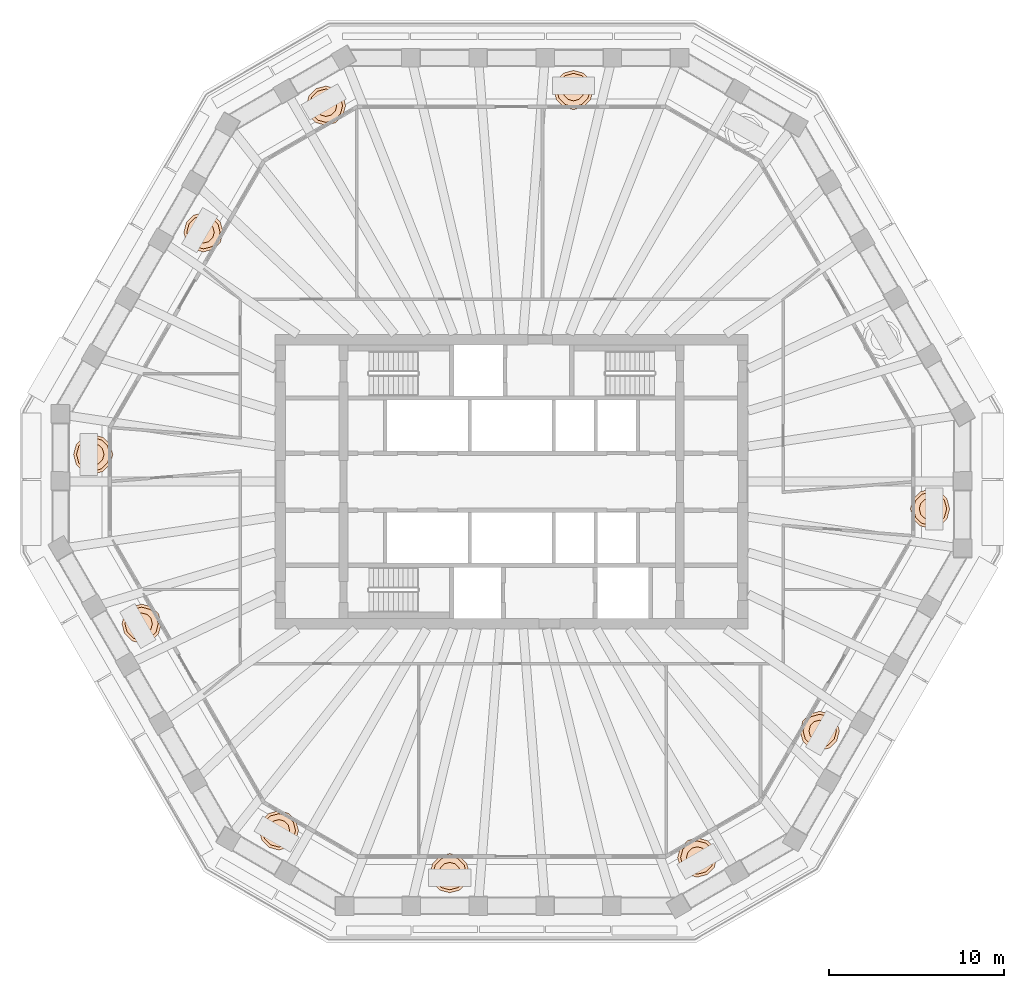
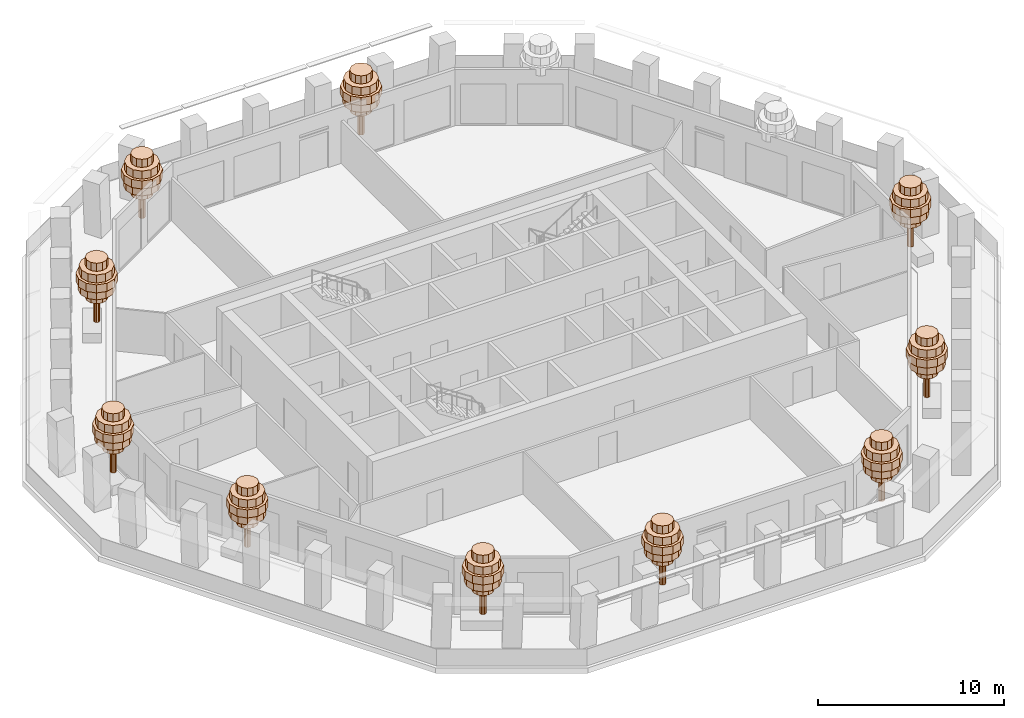
# One storey, part 11 of 12: 10 geographic elements.
"""IFC4 building model written with IfcOpenShell, lengths in metres."""

from ifc_helpers import new_model, si_unit, direction, frame, origin, place, context, subcontext, project, spatial, polyline, outline, extrude, material, type_object, element, save


model = new_model("IFC4")

# Units and contexts
model_context = context("Model", 3, precision=1e-05, world=origin(), true_north=direction((0.0, 1.0)))
body_context = subcontext(model_context, "Body", "Model", "MODEL_VIEW")
ifc_project = project(units=[si_unit("LENGTHUNIT", "METRE"), si_unit("AREAUNIT", "SQUARE_METRE"), si_unit("VOLUMEUNIT", "CUBIC_METRE"), si_unit("PLANEANGLEUNIT", "RADIAN"), si_unit("MASSUNIT", "GRAM", prefix="KILO")], contexts=[model_context])

# Site, building, storey
site_placement = place(None, origin())
site = spatial("IfcSite", under=ifc_project, at=site_placement, CompositionType="ELEMENT")
building_placement = place(site_placement, origin())
building = spatial("IfcBuilding", under=site, at=building_placement, Name="Frailejon Research Tower", CompositionType="ELEMENT")
storey_placement = place(building_placement, frame((0.0, 0.0, 211.39990234375)))
storey = spatial("IfcBuildingStorey", under=building, at=storey_placement, Name="L45", CompositionType="ELEMENT", Elevation=211.39990234375)

# Geographic elements
ifc_material = material(Name="Foliage, green")
geographic_element_type = type_object("IfcGeographicElementType", Name="Frailejon tree, terrace", PredefinedType="USERDEFINED", material=ifc_material)
geographic_element_1_placement = place(storey_placement, frame((23.884521484375, -1.551513671875, 0.7001953125)))
element("IfcGeographicElement", 1, at=geographic_element_1_placement, inside=storey, type_object=geographic_element_type, Name="Tree L45", ObjectType="TREE", PredefinedType="USERDEFINED", context=body_context, shape_type="SweptSolid", body=[
    extrude(outline(polyline([(0.177978515625, 0.0), (0.154052734375, 0.089111328125), (0.089111328125, 0.154052734375), (0.0, 0.177978515625), (-0.089111328125, 0.154052734375), (-0.154052734375, 0.089111328125), (-0.177978515625, 0.0), (-0.154052734375, -0.089111328125), (-0.089111328125, -0.154052734375), (0.0, -0.177978515625), (0.089111328125, -0.154052734375), (0.154052734375, -0.089111328125), (0.177978515625, 0.0)])), origin(), (0.0, 0.0, 1.0), 3.135986328125),
    extrude(outline(polyline([(0.615966796875, 0.0), (0.533447265625, 0.30810546875), (0.30810546875, 0.533447265625), (0.0, 0.615966796875), (-0.30810546875, 0.533447265625), (-0.533447265625, 0.30810546875), (-0.615966796875, 0.0), (-0.533447265625, -0.30810546875), (-0.30810546875, -0.533447265625), (0.0, -0.615966796875), (0.30810546875, -0.533447265625), (0.533447265625, -0.30810546875), (0.615966796875, 0.0)])), frame((0.0, 0.0, 1.5400390625)), (0.0, 0.0, 1.0), 0.531982421875),
    extrude(outline(polyline([(1.008056640625, 0.0), (0.873046875, 0.50390625), (0.50390625, 0.873046875), (0.0, 1.008056640625), (-0.50390625, 0.873046875), (-0.873046875, 0.50390625), (-1.008056640625, 0.0), (-0.873046875, -0.50390625), (-0.50390625, -0.873046875), (0.0, -1.008056640625), (0.50390625, -0.873046875), (0.873046875, -0.50390625), (1.008056640625, 0.0)])), frame((0.0, 0.0, 2.072021484375)), (0.0, 0.0, 1.0), 0.531982421875),
    extrude(outline(polyline([(1.1201171875, 0.0), (0.969970703125, 0.56005859375), (0.56005859375, 0.969970703125), (0.0, 1.1201171875), (-0.56005859375, 0.969970703125), (-0.969970703125, 0.56005859375), (-1.1201171875, 0.0), (-0.969970703125, -0.56005859375), (-0.56005859375, -0.969970703125), (0.0, -1.1201171875), (0.56005859375, -0.969970703125), (0.969970703125, -0.56005859375), (1.1201171875, 0.0)])), frame((0.0, 0.0, 2.60400390625)), (0.0, 0.0, 1.0), 0.531982421875),
    extrude(outline(polyline([(0.951904296875, 0.0), (0.824462890625, 0.47607421875), (0.47607421875, 0.824462890625), (0.0, 0.951904296875), (-0.47607421875, 0.824462890625), (-0.824462890625, 0.47607421875), (-0.951904296875, 0.0), (-0.824462890625, -0.47607421875), (-0.47607421875, -0.824462890625), (0.0, -0.951904296875), (0.47607421875, -0.824462890625), (0.824462890625, -0.47607421875), (0.951904296875, 0.0)])), frame((0.0, 0.0, 3.135986328125)), (0.0, 0.0, 1.0), 0.531982421875),
    extrude(outline(polyline([(0.615966796875, 0.0), (0.533447265625, 0.30810546875), (0.30810546875, 0.533447265625), (0.0, 0.615966796875), (-0.30810546875, 0.533447265625), (-0.533447265625, 0.30810546875), (-0.615966796875, 0.0), (-0.533447265625, -0.30810546875), (-0.30810546875, -0.533447265625), (0.0, -0.615966796875), (0.30810546875, -0.533447265625), (0.533447265625, -0.30810546875), (0.615966796875, 0.0)])), frame((0.0, 0.0, 3.66796875)), (0.0, 0.0, 1.0), 0.531982421875),
])
geographic_element_2_placement = place(storey_placement, frame((3.531982421875, 22.35009765625, 0.7001953125)))
element("IfcGeographicElement", 2, at=geographic_element_2_placement, inside=storey, type_object=geographic_element_type, Name="Tree L45", ObjectType="TREE", PredefinedType="USERDEFINED", context=body_context, shape_type="SweptSolid", body=[
    extrude(outline(polyline([(0.177978515625, 0.0), (0.154052734375, 0.089111328125), (0.089111328125, 0.154052734375), (0.0, 0.177978515625), (-0.089111328125, 0.154052734375), (-0.154052734375, 0.089111328125), (-0.177978515625, 0.0), (-0.154052734375, -0.089111328125), (-0.089111328125, -0.154052734375), (0.0, -0.177978515625), (0.089111328125, -0.154052734375), (0.154052734375, -0.089111328125), (0.177978515625, 0.0)])), origin(), (0.0, 0.0, 1.0), 3.135986328125),
    extrude(outline(polyline([(0.615966796875, 0.0), (0.533447265625, 0.30810546875), (0.30810546875, 0.533447265625), (0.0, 0.615966796875), (-0.30810546875, 0.533447265625), (-0.533447265625, 0.30810546875), (-0.615966796875, 0.0), (-0.533447265625, -0.30810546875), (-0.30810546875, -0.533447265625), (0.0, -0.615966796875), (0.30810546875, -0.533447265625), (0.533447265625, -0.30810546875), (0.615966796875, 0.0)])), frame((0.0, 0.0, 1.5400390625)), (0.0, 0.0, 1.0), 0.531982421875),
    extrude(outline(polyline([(1.008056640625, 0.0), (0.873046875, 0.50390625), (0.50390625, 0.873046875), (0.0, 1.008056640625), (-0.50390625, 0.873046875), (-0.873046875, 0.50390625), (-1.008056640625, 0.0), (-0.873046875, -0.50390625), (-0.50390625, -0.873046875), (0.0, -1.008056640625), (0.50390625, -0.873046875), (0.873046875, -0.50390625), (1.008056640625, 0.0)])), frame((0.0, 0.0, 2.072021484375)), (0.0, 0.0, 1.0), 0.531982421875),
    extrude(outline(polyline([(1.1201171875, 0.0), (0.969970703125, 0.56005859375), (0.56005859375, 0.969970703125), (0.0, 1.1201171875), (-0.56005859375, 0.969970703125), (-0.969970703125, 0.56005859375), (-1.1201171875, 0.0), (-0.969970703125, -0.56005859375), (-0.56005859375, -0.969970703125), (0.0, -1.1201171875), (0.56005859375, -0.969970703125), (0.969970703125, -0.56005859375), (1.1201171875, 0.0)])), frame((0.0, 0.0, 2.60400390625)), (0.0, 0.0, 1.0), 0.531982421875),
    extrude(outline(polyline([(0.951904296875, 0.0), (0.824462890625, 0.47607421875), (0.47607421875, 0.824462890625), (0.0, 0.951904296875), (-0.47607421875, 0.824462890625), (-0.824462890625, 0.47607421875), (-0.951904296875, 0.0), (-0.824462890625, -0.47607421875), (-0.47607421875, -0.824462890625), (0.0, -0.951904296875), (0.47607421875, -0.824462890625), (0.824462890625, -0.47607421875), (0.951904296875, 0.0)])), frame((0.0, 0.0, 3.135986328125)), (0.0, 0.0, 1.0), 0.531982421875),
    extrude(outline(polyline([(0.615966796875, 0.0), (0.533447265625, 0.30810546875), (0.30810546875, 0.533447265625), (0.0, 0.615966796875), (-0.30810546875, 0.533447265625), (-0.533447265625, 0.30810546875), (-0.615966796875, 0.0), (-0.533447265625, -0.30810546875), (-0.30810546875, -0.533447265625), (0.0, -0.615966796875), (0.30810546875, -0.533447265625), (0.533447265625, -0.30810546875), (0.615966796875, 0.0)])), frame((0.0, 0.0, 3.66796875)), (0.0, 0.0, 1.0), 0.531982421875),
])
geographic_element_3_placement = place(storey_placement, frame((-10.598388671875, 21.460205078125, 0.7001953125)))
element("IfcGeographicElement", 3, at=geographic_element_3_placement, inside=storey, type_object=geographic_element_type, Name="Tree L45", ObjectType="TREE", PredefinedType="USERDEFINED", context=body_context, shape_type="SweptSolid", body=[
    extrude(outline(polyline([(0.177978515625, 0.0), (0.154052734375, 0.089111328125), (0.089111328125, 0.154052734375), (0.0, 0.177978515625), (-0.089111328125, 0.154052734375), (-0.154052734375, 0.089111328125), (-0.177978515625, 0.0), (-0.154052734375, -0.089111328125), (-0.089111328125, -0.154052734375), (0.0, -0.177978515625), (0.089111328125, -0.154052734375), (0.154052734375, -0.089111328125), (0.177978515625, 0.0)])), origin(), (0.0, 0.0, 1.0), 3.135986328125),
    extrude(outline(polyline([(0.615966796875, 0.0), (0.533447265625, 0.30810546875), (0.30810546875, 0.533447265625), (0.0, 0.615966796875), (-0.30810546875, 0.533447265625), (-0.533447265625, 0.30810546875), (-0.615966796875, 0.0), (-0.533447265625, -0.30810546875), (-0.30810546875, -0.533447265625), (0.0, -0.615966796875), (0.30810546875, -0.533447265625), (0.533447265625, -0.30810546875), (0.615966796875, 0.0)])), frame((0.0, 0.0, 1.5400390625)), (0.0, 0.0, 1.0), 0.531982421875),
    extrude(outline(polyline([(1.008056640625, 0.0), (0.873046875, 0.50390625), (0.50390625, 0.873046875), (0.0, 1.008056640625), (-0.50390625, 0.873046875), (-0.873046875, 0.50390625), (-1.008056640625, 0.0), (-0.873046875, -0.50390625), (-0.50390625, -0.873046875), (0.0, -1.008056640625), (0.50390625, -0.873046875), (0.873046875, -0.50390625), (1.008056640625, 0.0)])), frame((0.0, 0.0, 2.072021484375)), (0.0, 0.0, 1.0), 0.531982421875),
    extrude(outline(polyline([(1.1201171875, 0.0), (0.969970703125, 0.56005859375), (0.56005859375, 0.969970703125), (0.0, 1.1201171875), (-0.56005859375, 0.969970703125), (-0.969970703125, 0.56005859375), (-1.1201171875, 0.0), (-0.969970703125, -0.56005859375), (-0.56005859375, -0.969970703125), (0.0, -1.1201171875), (0.56005859375, -0.969970703125), (0.969970703125, -0.56005859375), (1.1201171875, 0.0)])), frame((0.0, 0.0, 2.60400390625)), (0.0, 0.0, 1.0), 0.531982421875),
    extrude(outline(polyline([(0.951904296875, 0.0), (0.824462890625, 0.47607421875), (0.47607421875, 0.824462890625), (0.0, 0.951904296875), (-0.47607421875, 0.824462890625), (-0.824462890625, 0.47607421875), (-0.951904296875, 0.0), (-0.824462890625, -0.47607421875), (-0.47607421875, -0.824462890625), (0.0, -0.951904296875), (0.47607421875, -0.824462890625), (0.824462890625, -0.47607421875), (0.951904296875, 0.0)])), frame((0.0, 0.0, 3.135986328125)), (0.0, 0.0, 1.0), 0.531982421875),
    extrude(outline(polyline([(0.615966796875, 0.0), (0.533447265625, 0.30810546875), (0.30810546875, 0.533447265625), (0.0, 0.615966796875), (-0.30810546875, 0.533447265625), (-0.533447265625, 0.30810546875), (-0.615966796875, 0.0), (-0.533447265625, -0.30810546875), (-0.30810546875, -0.533447265625), (0.0, -0.615966796875), (0.30810546875, -0.533447265625), (0.533447265625, -0.30810546875), (0.615966796875, 0.0)])), frame((0.0, 0.0, 3.66796875)), (0.0, 0.0, 1.0), 0.531982421875),
])
geographic_element_4_placement = place(storey_placement, frame((-17.589599609375, 14.233642578125, 0.7001953125)))
element("IfcGeographicElement", 4, at=geographic_element_4_placement, inside=storey, type_object=geographic_element_type, Name="Tree L45", ObjectType="TREE", PredefinedType="USERDEFINED", context=body_context, shape_type="SweptSolid", body=[
    extrude(outline(polyline([(0.177978515625, 0.0), (0.154052734375, 0.089111328125), (0.089111328125, 0.154052734375), (0.0, 0.177978515625), (-0.089111328125, 0.154052734375), (-0.154052734375, 0.089111328125), (-0.177978515625, 0.0), (-0.154052734375, -0.089111328125), (-0.089111328125, -0.154052734375), (0.0, -0.177978515625), (0.089111328125, -0.154052734375), (0.154052734375, -0.089111328125), (0.177978515625, 0.0)])), origin(), (0.0, 0.0, 1.0), 3.135986328125),
    extrude(outline(polyline([(0.615966796875, 0.0), (0.533447265625, 0.30810546875), (0.30810546875, 0.533447265625), (0.0, 0.615966796875), (-0.30810546875, 0.533447265625), (-0.533447265625, 0.30810546875), (-0.615966796875, 0.0), (-0.533447265625, -0.30810546875), (-0.30810546875, -0.533447265625), (0.0, -0.615966796875), (0.30810546875, -0.533447265625), (0.533447265625, -0.30810546875), (0.615966796875, 0.0)])), frame((0.0, 0.0, 1.5400390625)), (0.0, 0.0, 1.0), 0.531982421875),
    extrude(outline(polyline([(1.008056640625, 0.0), (0.873046875, 0.50390625), (0.50390625, 0.873046875), (0.0, 1.008056640625), (-0.50390625, 0.873046875), (-0.873046875, 0.50390625), (-1.008056640625, 0.0), (-0.873046875, -0.50390625), (-0.50390625, -0.873046875), (0.0, -1.008056640625), (0.50390625, -0.873046875), (0.873046875, -0.50390625), (1.008056640625, 0.0)])), frame((0.0, 0.0, 2.072021484375)), (0.0, 0.0, 1.0), 0.531982421875),
    extrude(outline(polyline([(1.1201171875, 0.0), (0.969970703125, 0.56005859375), (0.56005859375, 0.969970703125), (0.0, 1.1201171875), (-0.56005859375, 0.969970703125), (-0.969970703125, 0.56005859375), (-1.1201171875, 0.0), (-0.969970703125, -0.56005859375), (-0.56005859375, -0.969970703125), (0.0, -1.1201171875), (0.56005859375, -0.969970703125), (0.969970703125, -0.56005859375), (1.1201171875, 0.0)])), frame((0.0, 0.0, 2.60400390625)), (0.0, 0.0, 1.0), 0.531982421875),
    extrude(outline(polyline([(0.951904296875, 0.0), (0.824462890625, 0.47607421875), (0.47607421875, 0.824462890625), (0.0, 0.951904296875), (-0.47607421875, 0.824462890625), (-0.824462890625, 0.47607421875), (-0.951904296875, 0.0), (-0.824462890625, -0.47607421875), (-0.47607421875, -0.824462890625), (0.0, -0.951904296875), (0.47607421875, -0.824462890625), (0.824462890625, -0.47607421875), (0.951904296875, 0.0)])), frame((0.0, 0.0, 3.135986328125)), (0.0, 0.0, 1.0), 0.531982421875),
    extrude(outline(polyline([(0.615966796875, 0.0), (0.533447265625, 0.30810546875), (0.30810546875, 0.533447265625), (0.0, 0.615966796875), (-0.30810546875, 0.533447265625), (-0.533447265625, 0.30810546875), (-0.615966796875, 0.0), (-0.533447265625, -0.30810546875), (-0.30810546875, -0.533447265625), (0.0, -0.615966796875), (0.30810546875, -0.533447265625), (0.533447265625, -0.30810546875), (0.615966796875, 0.0)])), frame((0.0, 0.0, 3.66796875)), (0.0, 0.0, 1.0), 0.531982421875),
])
geographic_element_5_placement = place(storey_placement, frame((-23.884521484375, 1.551513671875, 0.7001953125)))
element("IfcGeographicElement", 5, at=geographic_element_5_placement, inside=storey, type_object=geographic_element_type, Name="Tree L45", ObjectType="TREE", PredefinedType="USERDEFINED", context=body_context, shape_type="SweptSolid", body=[
    extrude(outline(polyline([(0.177978515625, 0.0), (0.154052734375, 0.089111328125), (0.089111328125, 0.154052734375), (0.0, 0.177978515625), (-0.089111328125, 0.154052734375), (-0.154052734375, 0.089111328125), (-0.177978515625, 0.0), (-0.154052734375, -0.089111328125), (-0.089111328125, -0.154052734375), (0.0, -0.177978515625), (0.089111328125, -0.154052734375), (0.154052734375, -0.089111328125), (0.177978515625, 0.0)])), origin(), (0.0, 0.0, 1.0), 3.135986328125),
    extrude(outline(polyline([(0.615966796875, 0.0), (0.533447265625, 0.30810546875), (0.30810546875, 0.533447265625), (0.0, 0.615966796875), (-0.30810546875, 0.533447265625), (-0.533447265625, 0.30810546875), (-0.615966796875, 0.0), (-0.533447265625, -0.30810546875), (-0.30810546875, -0.533447265625), (0.0, -0.615966796875), (0.30810546875, -0.533447265625), (0.533447265625, -0.30810546875), (0.615966796875, 0.0)])), frame((0.0, 0.0, 1.5400390625)), (0.0, 0.0, 1.0), 0.531982421875),
    extrude(outline(polyline([(1.008056640625, 0.0), (0.873046875, 0.50390625), (0.50390625, 0.873046875), (0.0, 1.008056640625), (-0.50390625, 0.873046875), (-0.873046875, 0.50390625), (-1.008056640625, 0.0), (-0.873046875, -0.50390625), (-0.50390625, -0.873046875), (0.0, -1.008056640625), (0.50390625, -0.873046875), (0.873046875, -0.50390625), (1.008056640625, 0.0)])), frame((0.0, 0.0, 2.072021484375)), (0.0, 0.0, 1.0), 0.531982421875),
    extrude(outline(polyline([(1.1201171875, 0.0), (0.969970703125, 0.56005859375), (0.56005859375, 0.969970703125), (0.0, 1.1201171875), (-0.56005859375, 0.969970703125), (-0.969970703125, 0.56005859375), (-1.1201171875, 0.0), (-0.969970703125, -0.56005859375), (-0.56005859375, -0.969970703125), (0.0, -1.1201171875), (0.56005859375, -0.969970703125), (0.969970703125, -0.56005859375), (1.1201171875, 0.0)])), frame((0.0, 0.0, 2.60400390625)), (0.0, 0.0, 1.0), 0.531982421875),
    extrude(outline(polyline([(0.951904296875, 0.0), (0.824462890625, 0.47607421875), (0.47607421875, 0.824462890625), (0.0, 0.951904296875), (-0.47607421875, 0.824462890625), (-0.824462890625, 0.47607421875), (-0.951904296875, 0.0), (-0.824462890625, -0.47607421875), (-0.47607421875, -0.824462890625), (0.0, -0.951904296875), (0.47607421875, -0.824462890625), (0.824462890625, -0.47607421875), (0.951904296875, 0.0)])), frame((0.0, 0.0, 3.135986328125)), (0.0, 0.0, 1.0), 0.531982421875),
    extrude(outline(polyline([(0.615966796875, 0.0), (0.533447265625, 0.30810546875), (0.30810546875, 0.533447265625), (0.0, 0.615966796875), (-0.30810546875, 0.533447265625), (-0.533447265625, 0.30810546875), (-0.615966796875, 0.0), (-0.533447265625, -0.30810546875), (-0.30810546875, -0.533447265625), (0.0, -0.615966796875), (0.30810546875, -0.533447265625), (0.533447265625, -0.30810546875), (0.615966796875, 0.0)])), frame((0.0, 0.0, 3.66796875)), (0.0, 0.0, 1.0), 0.531982421875),
])
geographic_element_6_placement = place(storey_placement, frame((-21.12158203125, -8.1162109375, 0.7001953125)))
element("IfcGeographicElement", 6, at=geographic_element_6_placement, inside=storey, type_object=geographic_element_type, Name="Tree L45", ObjectType="TREE", PredefinedType="USERDEFINED", context=body_context, shape_type="SweptSolid", body=[
    extrude(outline(polyline([(0.177978515625, 0.0), (0.154052734375, 0.089111328125), (0.089111328125, 0.154052734375), (0.0, 0.177978515625), (-0.089111328125, 0.154052734375), (-0.154052734375, 0.089111328125), (-0.177978515625, 0.0), (-0.154052734375, -0.089111328125), (-0.089111328125, -0.154052734375), (0.0, -0.177978515625), (0.089111328125, -0.154052734375), (0.154052734375, -0.089111328125), (0.177978515625, 0.0)])), origin(), (0.0, 0.0, 1.0), 3.135986328125),
    extrude(outline(polyline([(0.615966796875, 0.0), (0.533447265625, 0.30810546875), (0.30810546875, 0.533447265625), (0.0, 0.615966796875), (-0.30810546875, 0.533447265625), (-0.533447265625, 0.30810546875), (-0.615966796875, 0.0), (-0.533447265625, -0.30810546875), (-0.30810546875, -0.533447265625), (0.0, -0.615966796875), (0.30810546875, -0.533447265625), (0.533447265625, -0.30810546875), (0.615966796875, 0.0)])), frame((0.0, 0.0, 1.5400390625)), (0.0, 0.0, 1.0), 0.531982421875),
    extrude(outline(polyline([(1.008056640625, 0.0), (0.873046875, 0.50390625), (0.50390625, 0.873046875), (0.0, 1.008056640625), (-0.50390625, 0.873046875), (-0.873046875, 0.50390625), (-1.008056640625, 0.0), (-0.873046875, -0.50390625), (-0.50390625, -0.873046875), (0.0, -1.008056640625), (0.50390625, -0.873046875), (0.873046875, -0.50390625), (1.008056640625, 0.0)])), frame((0.0, 0.0, 2.072021484375)), (0.0, 0.0, 1.0), 0.531982421875),
    extrude(outline(polyline([(1.1201171875, 0.0), (0.969970703125, 0.56005859375), (0.56005859375, 0.969970703125), (0.0, 1.1201171875), (-0.56005859375, 0.969970703125), (-0.969970703125, 0.56005859375), (-1.1201171875, 0.0), (-0.969970703125, -0.56005859375), (-0.56005859375, -0.969970703125), (0.0, -1.1201171875), (0.56005859375, -0.969970703125), (0.969970703125, -0.56005859375), (1.1201171875, 0.0)])), frame((0.0, 0.0, 2.60400390625)), (0.0, 0.0, 1.0), 0.531982421875),
    extrude(outline(polyline([(0.951904296875, 0.0), (0.824462890625, 0.47607421875), (0.47607421875, 0.824462890625), (0.0, 0.951904296875), (-0.47607421875, 0.824462890625), (-0.824462890625, 0.47607421875), (-0.951904296875, 0.0), (-0.824462890625, -0.47607421875), (-0.47607421875, -0.824462890625), (0.0, -0.951904296875), (0.47607421875, -0.824462890625), (0.824462890625, -0.47607421875), (0.951904296875, 0.0)])), frame((0.0, 0.0, 3.135986328125)), (0.0, 0.0, 1.0), 0.531982421875),
    extrude(outline(polyline([(0.615966796875, 0.0), (0.533447265625, 0.30810546875), (0.30810546875, 0.533447265625), (0.0, 0.615966796875), (-0.30810546875, 0.533447265625), (-0.533447265625, 0.30810546875), (-0.615966796875, 0.0), (-0.533447265625, -0.30810546875), (-0.30810546875, -0.533447265625), (0.0, -0.615966796875), (0.30810546875, -0.533447265625), (0.533447265625, -0.30810546875), (0.615966796875, 0.0)])), frame((0.0, 0.0, 3.66796875)), (0.0, 0.0, 1.0), 0.531982421875),
])
geographic_element_7_placement = place(storey_placement, frame((-13.285888671875, -19.90869140625, 0.7001953125)))
element("IfcGeographicElement", 7, at=geographic_element_7_placement, inside=storey, type_object=geographic_element_type, Name="Tree L45", ObjectType="TREE", PredefinedType="USERDEFINED", context=body_context, shape_type="SweptSolid", body=[
    extrude(outline(polyline([(0.177978515625, 0.0), (0.154052734375, 0.089111328125), (0.089111328125, 0.154052734375), (0.0, 0.177978515625), (-0.089111328125, 0.154052734375), (-0.154052734375, 0.089111328125), (-0.177978515625, 0.0), (-0.154052734375, -0.089111328125), (-0.089111328125, -0.154052734375), (0.0, -0.177978515625), (0.089111328125, -0.154052734375), (0.154052734375, -0.089111328125), (0.177978515625, 0.0)])), origin(), (0.0, 0.0, 1.0), 3.135986328125),
    extrude(outline(polyline([(0.615966796875, 0.0), (0.533447265625, 0.30810546875), (0.30810546875, 0.533447265625), (0.0, 0.615966796875), (-0.30810546875, 0.533447265625), (-0.533447265625, 0.30810546875), (-0.615966796875, 0.0), (-0.533447265625, -0.30810546875), (-0.30810546875, -0.533447265625), (0.0, -0.615966796875), (0.30810546875, -0.533447265625), (0.533447265625, -0.30810546875), (0.615966796875, 0.0)])), frame((0.0, 0.0, 1.5400390625)), (0.0, 0.0, 1.0), 0.531982421875),
    extrude(outline(polyline([(1.008056640625, 0.0), (0.873046875, 0.50390625), (0.50390625, 0.873046875), (0.0, 1.008056640625), (-0.50390625, 0.873046875), (-0.873046875, 0.50390625), (-1.008056640625, 0.0), (-0.873046875, -0.50390625), (-0.50390625, -0.873046875), (0.0, -1.008056640625), (0.50390625, -0.873046875), (0.873046875, -0.50390625), (1.008056640625, 0.0)])), frame((0.0, 0.0, 2.072021484375)), (0.0, 0.0, 1.0), 0.531982421875),
    extrude(outline(polyline([(1.1201171875, 0.0), (0.969970703125, 0.56005859375), (0.56005859375, 0.969970703125), (0.0, 1.1201171875), (-0.56005859375, 0.969970703125), (-0.969970703125, 0.56005859375), (-1.1201171875, 0.0), (-0.969970703125, -0.56005859375), (-0.56005859375, -0.969970703125), (0.0, -1.1201171875), (0.56005859375, -0.969970703125), (0.969970703125, -0.56005859375), (1.1201171875, 0.0)])), frame((0.0, 0.0, 2.60400390625)), (0.0, 0.0, 1.0), 0.531982421875),
    extrude(outline(polyline([(0.951904296875, 0.0), (0.824462890625, 0.47607421875), (0.47607421875, 0.824462890625), (0.0, 0.951904296875), (-0.47607421875, 0.824462890625), (-0.824462890625, 0.47607421875), (-0.951904296875, 0.0), (-0.824462890625, -0.47607421875), (-0.47607421875, -0.824462890625), (0.0, -0.951904296875), (0.47607421875, -0.824462890625), (0.824462890625, -0.47607421875), (0.951904296875, 0.0)])), frame((0.0, 0.0, 3.135986328125)), (0.0, 0.0, 1.0), 0.531982421875),
    extrude(outline(polyline([(0.615966796875, 0.0), (0.533447265625, 0.30810546875), (0.30810546875, 0.533447265625), (0.0, 0.615966796875), (-0.30810546875, 0.533447265625), (-0.533447265625, 0.30810546875), (-0.615966796875, 0.0), (-0.533447265625, -0.30810546875), (-0.30810546875, -0.533447265625), (0.0, -0.615966796875), (0.30810546875, -0.533447265625), (0.533447265625, -0.30810546875), (0.615966796875, 0.0)])), frame((0.0, 0.0, 3.66796875)), (0.0, 0.0, 1.0), 0.531982421875),
])
geographic_element_8_placement = place(storey_placement, frame((-3.531982421875, -22.35009765625, 0.7001953125)))
element("IfcGeographicElement", 8, at=geographic_element_8_placement, inside=storey, type_object=geographic_element_type, Name="Tree L45", ObjectType="TREE", PredefinedType="USERDEFINED", context=body_context, shape_type="SweptSolid", body=[
    extrude(outline(polyline([(0.177978515625, 0.0), (0.154052734375, 0.089111328125), (0.089111328125, 0.154052734375), (0.0, 0.177978515625), (-0.089111328125, 0.154052734375), (-0.154052734375, 0.089111328125), (-0.177978515625, 0.0), (-0.154052734375, -0.089111328125), (-0.089111328125, -0.154052734375), (0.0, -0.177978515625), (0.089111328125, -0.154052734375), (0.154052734375, -0.089111328125), (0.177978515625, 0.0)])), origin(), (0.0, 0.0, 1.0), 3.135986328125),
    extrude(outline(polyline([(0.615966796875, 0.0), (0.533447265625, 0.30810546875), (0.30810546875, 0.533447265625), (0.0, 0.615966796875), (-0.30810546875, 0.533447265625), (-0.533447265625, 0.30810546875), (-0.615966796875, 0.0), (-0.533447265625, -0.30810546875), (-0.30810546875, -0.533447265625), (0.0, -0.615966796875), (0.30810546875, -0.533447265625), (0.533447265625, -0.30810546875), (0.615966796875, 0.0)])), frame((0.0, 0.0, 1.5400390625)), (0.0, 0.0, 1.0), 0.531982421875),
    extrude(outline(polyline([(1.008056640625, 0.0), (0.873046875, 0.50390625), (0.50390625, 0.873046875), (0.0, 1.008056640625), (-0.50390625, 0.873046875), (-0.873046875, 0.50390625), (-1.008056640625, 0.0), (-0.873046875, -0.50390625), (-0.50390625, -0.873046875), (0.0, -1.008056640625), (0.50390625, -0.873046875), (0.873046875, -0.50390625), (1.008056640625, 0.0)])), frame((0.0, 0.0, 2.072021484375)), (0.0, 0.0, 1.0), 0.531982421875),
    extrude(outline(polyline([(1.1201171875, 0.0), (0.969970703125, 0.56005859375), (0.56005859375, 0.969970703125), (0.0, 1.1201171875), (-0.56005859375, 0.969970703125), (-0.969970703125, 0.56005859375), (-1.1201171875, 0.0), (-0.969970703125, -0.56005859375), (-0.56005859375, -0.969970703125), (0.0, -1.1201171875), (0.56005859375, -0.969970703125), (0.969970703125, -0.56005859375), (1.1201171875, 0.0)])), frame((0.0, 0.0, 2.60400390625)), (0.0, 0.0, 1.0), 0.531982421875),
    extrude(outline(polyline([(0.951904296875, 0.0), (0.824462890625, 0.47607421875), (0.47607421875, 0.824462890625), (0.0, 0.951904296875), (-0.47607421875, 0.824462890625), (-0.824462890625, 0.47607421875), (-0.951904296875, 0.0), (-0.824462890625, -0.47607421875), (-0.47607421875, -0.824462890625), (0.0, -0.951904296875), (0.47607421875, -0.824462890625), (0.824462890625, -0.47607421875), (0.951904296875, 0.0)])), frame((0.0, 0.0, 3.135986328125)), (0.0, 0.0, 1.0), 0.531982421875),
    extrude(outline(polyline([(0.615966796875, 0.0), (0.533447265625, 0.30810546875), (0.30810546875, 0.533447265625), (0.0, 0.615966796875), (-0.30810546875, 0.533447265625), (-0.533447265625, 0.30810546875), (-0.615966796875, 0.0), (-0.533447265625, -0.30810546875), (-0.30810546875, -0.533447265625), (0.0, -0.615966796875), (0.30810546875, -0.533447265625), (0.533447265625, -0.30810546875), (0.615966796875, 0.0)])), frame((0.0, 0.0, 3.66796875)), (0.0, 0.0, 1.0), 0.531982421875),
])
geographic_element_9_placement = place(storey_placement, frame((10.598388671875, -21.460205078125, 0.7001953125)))
element("IfcGeographicElement", 9, at=geographic_element_9_placement, inside=storey, type_object=geographic_element_type, Name="Tree L45", ObjectType="TREE", PredefinedType="USERDEFINED", context=body_context, shape_type="SweptSolid", body=[
    extrude(outline(polyline([(0.177978515625, 0.0), (0.154052734375, 0.089111328125), (0.089111328125, 0.154052734375), (0.0, 0.177978515625), (-0.089111328125, 0.154052734375), (-0.154052734375, 0.089111328125), (-0.177978515625, 0.0), (-0.154052734375, -0.089111328125), (-0.089111328125, -0.154052734375), (0.0, -0.177978515625), (0.089111328125, -0.154052734375), (0.154052734375, -0.089111328125), (0.177978515625, 0.0)])), origin(), (0.0, 0.0, 1.0), 3.135986328125),
    extrude(outline(polyline([(0.615966796875, 0.0), (0.533447265625, 0.30810546875), (0.30810546875, 0.533447265625), (0.0, 0.615966796875), (-0.30810546875, 0.533447265625), (-0.533447265625, 0.30810546875), (-0.615966796875, 0.0), (-0.533447265625, -0.30810546875), (-0.30810546875, -0.533447265625), (0.0, -0.615966796875), (0.30810546875, -0.533447265625), (0.533447265625, -0.30810546875), (0.615966796875, 0.0)])), frame((0.0, 0.0, 1.5400390625)), (0.0, 0.0, 1.0), 0.531982421875),
    extrude(outline(polyline([(1.008056640625, 0.0), (0.873046875, 0.50390625), (0.50390625, 0.873046875), (0.0, 1.008056640625), (-0.50390625, 0.873046875), (-0.873046875, 0.50390625), (-1.008056640625, 0.0), (-0.873046875, -0.50390625), (-0.50390625, -0.873046875), (0.0, -1.008056640625), (0.50390625, -0.873046875), (0.873046875, -0.50390625), (1.008056640625, 0.0)])), frame((0.0, 0.0, 2.072021484375)), (0.0, 0.0, 1.0), 0.531982421875),
    extrude(outline(polyline([(1.1201171875, 0.0), (0.969970703125, 0.56005859375), (0.56005859375, 0.969970703125), (0.0, 1.1201171875), (-0.56005859375, 0.969970703125), (-0.969970703125, 0.56005859375), (-1.1201171875, 0.0), (-0.969970703125, -0.56005859375), (-0.56005859375, -0.969970703125), (0.0, -1.1201171875), (0.56005859375, -0.969970703125), (0.969970703125, -0.56005859375), (1.1201171875, 0.0)])), frame((0.0, 0.0, 2.60400390625)), (0.0, 0.0, 1.0), 0.531982421875),
    extrude(outline(polyline([(0.951904296875, 0.0), (0.824462890625, 0.47607421875), (0.47607421875, 0.824462890625), (0.0, 0.951904296875), (-0.47607421875, 0.824462890625), (-0.824462890625, 0.47607421875), (-0.951904296875, 0.0), (-0.824462890625, -0.47607421875), (-0.47607421875, -0.824462890625), (0.0, -0.951904296875), (0.47607421875, -0.824462890625), (0.824462890625, -0.47607421875), (0.951904296875, 0.0)])), frame((0.0, 0.0, 3.135986328125)), (0.0, 0.0, 1.0), 0.531982421875),
    extrude(outline(polyline([(0.615966796875, 0.0), (0.533447265625, 0.30810546875), (0.30810546875, 0.533447265625), (0.0, 0.615966796875), (-0.30810546875, 0.533447265625), (-0.533447265625, 0.30810546875), (-0.615966796875, 0.0), (-0.533447265625, -0.30810546875), (-0.30810546875, -0.533447265625), (0.0, -0.615966796875), (0.30810546875, -0.533447265625), (0.533447265625, -0.30810546875), (0.615966796875, 0.0)])), frame((0.0, 0.0, 3.66796875)), (0.0, 0.0, 1.0), 0.531982421875),
])
geographic_element_10_placement = place(storey_placement, frame((17.589599609375, -14.233642578125, 0.7001953125)))
element("IfcGeographicElement", 10, at=geographic_element_10_placement, inside=storey, type_object=geographic_element_type, Name="Tree L45", ObjectType="TREE", PredefinedType="USERDEFINED", context=body_context, shape_type="SweptSolid", body=[
    extrude(outline(polyline([(0.177978515625, 0.0), (0.154052734375, 0.089111328125), (0.089111328125, 0.154052734375), (0.0, 0.177978515625), (-0.089111328125, 0.154052734375), (-0.154052734375, 0.089111328125), (-0.177978515625, 0.0), (-0.154052734375, -0.089111328125), (-0.089111328125, -0.154052734375), (0.0, -0.177978515625), (0.089111328125, -0.154052734375), (0.154052734375, -0.089111328125), (0.177978515625, 0.0)])), origin(), (0.0, 0.0, 1.0), 3.135986328125),
    extrude(outline(polyline([(0.615966796875, 0.0), (0.533447265625, 0.30810546875), (0.30810546875, 0.533447265625), (0.0, 0.615966796875), (-0.30810546875, 0.533447265625), (-0.533447265625, 0.30810546875), (-0.615966796875, 0.0), (-0.533447265625, -0.30810546875), (-0.30810546875, -0.533447265625), (0.0, -0.615966796875), (0.30810546875, -0.533447265625), (0.533447265625, -0.30810546875), (0.615966796875, 0.0)])), frame((0.0, 0.0, 1.5400390625)), (0.0, 0.0, 1.0), 0.531982421875),
    extrude(outline(polyline([(1.008056640625, 0.0), (0.873046875, 0.50390625), (0.50390625, 0.873046875), (0.0, 1.008056640625), (-0.50390625, 0.873046875), (-0.873046875, 0.50390625), (-1.008056640625, 0.0), (-0.873046875, -0.50390625), (-0.50390625, -0.873046875), (0.0, -1.008056640625), (0.50390625, -0.873046875), (0.873046875, -0.50390625), (1.008056640625, 0.0)])), frame((0.0, 0.0, 2.072021484375)), (0.0, 0.0, 1.0), 0.531982421875),
    extrude(outline(polyline([(1.1201171875, 0.0), (0.969970703125, 0.56005859375), (0.56005859375, 0.969970703125), (0.0, 1.1201171875), (-0.56005859375, 0.969970703125), (-0.969970703125, 0.56005859375), (-1.1201171875, 0.0), (-0.969970703125, -0.56005859375), (-0.56005859375, -0.969970703125), (0.0, -1.1201171875), (0.56005859375, -0.969970703125), (0.969970703125, -0.56005859375), (1.1201171875, 0.0)])), frame((0.0, 0.0, 2.60400390625)), (0.0, 0.0, 1.0), 0.531982421875),
    extrude(outline(polyline([(0.951904296875, 0.0), (0.824462890625, 0.47607421875), (0.47607421875, 0.824462890625), (0.0, 0.951904296875), (-0.47607421875, 0.824462890625), (-0.824462890625, 0.47607421875), (-0.951904296875, 0.0), (-0.824462890625, -0.47607421875), (-0.47607421875, -0.824462890625), (0.0, -0.951904296875), (0.47607421875, -0.824462890625), (0.824462890625, -0.47607421875), (0.951904296875, 0.0)])), frame((0.0, 0.0, 3.135986328125)), (0.0, 0.0, 1.0), 0.531982421875),
    extrude(outline(polyline([(0.615966796875, 0.0), (0.533447265625, 0.30810546875), (0.30810546875, 0.533447265625), (0.0, 0.615966796875), (-0.30810546875, 0.533447265625), (-0.533447265625, 0.30810546875), (-0.615966796875, 0.0), (-0.533447265625, -0.30810546875), (-0.30810546875, -0.533447265625), (0.0, -0.615966796875), (0.30810546875, -0.533447265625), (0.533447265625, -0.30810546875), (0.615966796875, 0.0)])), frame((0.0, 0.0, 3.66796875)), (0.0, 0.0, 1.0), 0.531982421875),
])

save(model, "model.ifc")
